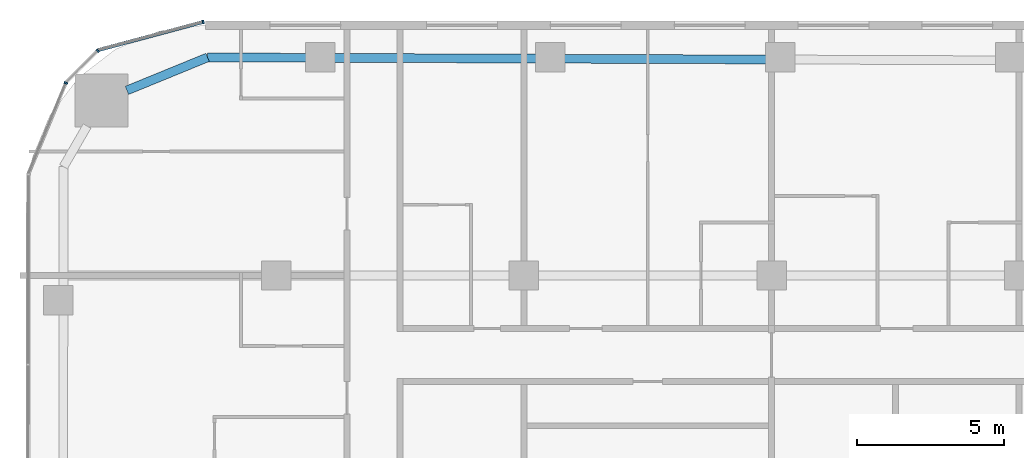
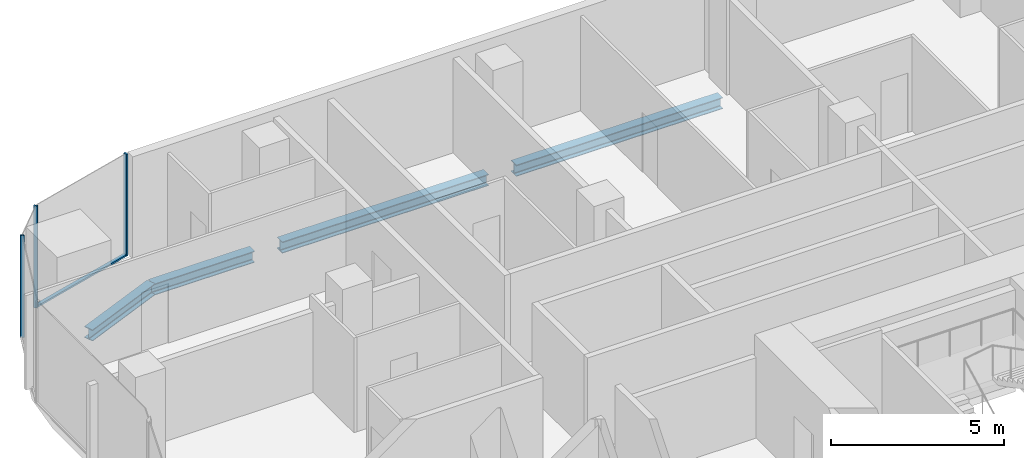
# One storey, part 10 of 26: 4 beams, 4 members, 3 elements without a shape of their own.
"""IFC4 building model written with IfcOpenShell, lengths in metres."""

from ifc_helpers import new_model, si_unit, direction, frame, origin, origin_2d, place, context, subcontext, project, spatial, rectangle, i_section, extrude, material, layer, layer_set, material_profile, profile_set, type_object, element, aggregate, save


model = new_model("IFC4")

# Units and contexts
model_context = context("Model", 3, precision=1e-05, world=origin(), true_north=direction((0.0, 1.0)))
body_context = subcontext(model_context, "Body", "Model", "MODEL_VIEW")
ifc_project = project(units=[si_unit("LENGTHUNIT", "METRE"), si_unit("AREAUNIT", "SQUARE_METRE"), si_unit("VOLUMEUNIT", "CUBIC_METRE"), si_unit("PLANEANGLEUNIT", "RADIAN"), si_unit("MASSUNIT", "GRAM", prefix="KILO")], contexts=[model_context])

# Site, building, storey
site_placement = place(None, origin())
site = spatial("IfcSite", under=ifc_project, at=site_placement, CompositionType="ELEMENT")
building_placement = place(site_placement, origin())
building = spatial("IfcBuilding", under=site, at=building_placement, Name="Marenta Gate Hotel Tower", CompositionType="ELEMENT")
storey_placement = place(building_placement, frame((0.0, 0.0, 65.300048828125)))
storey = spatial("IfcBuildingStorey", under=building, at=storey_placement, Name="L14", CompositionType="ELEMENT", Elevation=65.300048828125)

# Beams
ifc_material_1 = material(Name="Steel S355", Category="steel")
ifc_material_profile_1 = material_profile(ifc_material_1, i_section(OverallWidth=0.300048828125, OverallDepth=0.39990234375, WebThickness=0.013427734375, FlangeThickness=0.02392578125, FilletRadius=0.027099609375, at=origin_2d()), Name="HEB 400")
ifc_profile_set_1 = profile_set([ifc_material_profile_1], Name="Steel S355")
beam_type = type_object("IfcBeamType", Name="Edge beam HEB 400", PredefinedType="SPANDREL", material=ifc_profile_set_1)
beam_1_placement = place(storey_placement, frame((-26.072509765625, 31.47998046875, -0.4599609375), z_axis=(0.925545641603, 0.378636059177, 0.0), x_axis=(-0.378636059177, 0.925545641603, 0.0)))
element("IfcBeam", 1, at=beam_1_placement, inside=storey, type_object=beam_type, Name="L14-EB-12", PredefinedType="SPANDREL", context=body_context, shape_type="SweptSolid", body=[
    extrude(i_section(OverallWidth=0.300048828125, OverallDepth=0.39990234375, WebThickness=0.013427734375, FlangeThickness=0.02392578125, FilletRadius=0.027099609375, at=origin_2d()), origin(), (0.0, 0.0, 1.0), 2.958251953125),
])
beam_2_placement = place(storey_placement, frame((-23.33447265625, 32.60009765625, -0.4599609375), z_axis=(0.999992894549, -0.00376972818, 0.0), x_axis=(0.00376972818, 0.999992894549, 0.0)))
element("IfcBeam", 2, at=beam_2_placement, inside=storey, type_object=beam_type, Name="L14-EB-13", PredefinedType="SPANDREL", context=body_context, shape_type="SweptSolid", body=[
    extrude(i_section(OverallWidth=0.300048828125, OverallDepth=0.39990234375, WebThickness=0.013427734375, FlangeThickness=0.02392578125, FilletRadius=0.027099609375, at=origin_2d()), origin(), (0.0, 0.0, 1.0), 3.36767578125),
])
for number, where, z_axis, x_axis, name in (
    (3, (-19.046875, 32.583984375, -0.4599609375), (0.999993064268, -0.003724435008, 0.0), (0.003724435008, 0.999993064268, 0.0), "L14-EB-14"),
    (4, (-11.244140625, 32.554931640625, -0.4599609375), (0.999993064268, -0.003724435008, 0.0), (0.003724435008, 0.999993064268, 0.0), "L14-EB-15"),
):
    element("IfcBeam", number, at=place(storey_placement, frame(where, z_axis=z_axis, x_axis=x_axis)), inside=storey, type_object=beam_type, Name=name, PredefinedType="SPANDREL", context=body_context, shape_type="SweptSolid", body=[
        extrude(i_section(OverallWidth=0.300048828125, OverallDepth=0.39990234375, WebThickness=0.013427734375, FlangeThickness=0.02392578125, FilletRadius=0.027099609375, at=origin_2d()), origin(), (0.0, 0.0, 1.0), 6.8828125),
    ])

# Curtain wall, member
ifc_material_2 = material(Name="Tinted insulated glass in bronze anodised frame", Category="glass")
ifc_layer = layer(ifc_material_2, 0.1201171875)
ifc_layer_set = layer_set([ifc_layer], Name="Tinted insulated glass in bronze anodised frame")
curtain_wall_type = type_object("IfcCurtainWallType", Name="Tower unitised curtain wall CW1", PredefinedType="NOTDEFINED", material=ifc_layer_set)
curtain_wall_1_placement = place(storey_placement, origin())
curtain_wall_1 = element("IfcCurtainWall", 5, at=curtain_wall_1_placement, inside=storey, type_object=curtain_wall_type, Name="CW1 run G00", PredefinedType="NOTDEFINED")
ifc_material_3 = material(Name="Bronze anodised aluminium", Category="aluminium")
ifc_material_profile_2 = material_profile(ifc_material_3, rectangle(XDim=0.1201171875, YDim=0.06005859375, at=origin_2d()), Name="Mullion CW1 60x120 bronze anodised aluminium")
ifc_profile_set_2 = profile_set([ifc_material_profile_2], Name="Bronze anodised aluminium")
member_type_1 = type_object("IfcMemberType", Name="Mullion CW1 60x120 bronze anodised aluminium", PredefinedType="MULLION", material=ifc_profile_set_2)
member_1_placement = place(storey_placement, frame((-23.485595703125, 33.80322265625, 0.0), z_axis=(0.0, 0.0, 1.0), x_axis=(0.258801657317, -0.965930485164, 0.0)))
member_1 = element("IfcMember", 6, at=member_1_placement, type_object=member_type_1, Name="CW1 mullion 1", PredefinedType="MULLION", context=body_context, shape_type="SweptSolid", body=[
    extrude(rectangle(XDim=0.1201171875, YDim=0.06005859375, at=origin_2d()), origin(), (0.0, 0.0, 1.0), 3.599853515625),
])

curtain_wall_2_placement = place(storey_placement, origin())
curtain_wall_2 = element("IfcCurtainWall", 7, at=curtain_wall_2_placement, inside=storey, type_object=curtain_wall_type, Name="CW1 run G01", PredefinedType="NOTDEFINED")
member_2_placement = place(storey_placement, frame((-27.06103515625, 32.82958984375, 0.0), z_axis=(0.0, 0.0, 1.0), x_axis=(0.707106781187, -0.707106781187, 0.0)))
member_2 = element("IfcMember", 8, at=member_2_placement, type_object=member_type_1, Name="CW1 mullion 1", PredefinedType="MULLION", context=body_context, shape_type="SweptSolid", body=[
    extrude(rectangle(XDim=0.1201171875, YDim=0.06005859375, at=origin_2d()), origin(), (0.0, 0.0, 1.0), 3.599853515625),
])
aggregate(curtain_wall_2, [member_2])

curtain_wall_3_placement = place(storey_placement, origin())
curtain_wall_3 = element("IfcCurtainWall", 9, at=curtain_wall_3_placement, inside=storey, type_object=curtain_wall_type, Name="CW1 run G02", PredefinedType="NOTDEFINED")
member_3_placement = place(storey_placement, frame((-28.142333984375, 31.732177734375, 0.0), z_axis=(0.0, 0.0, 1.0), x_axis=(0.923885075314, -0.382670050581, 0.0)))
member_3 = element("IfcMember", 10, at=member_3_placement, type_object=member_type_1, Name="CW1 mullion 1", PredefinedType="MULLION", context=body_context, shape_type="SweptSolid", body=[
    extrude(rectangle(XDim=0.1201171875, YDim=0.06005859375, at=origin_2d()), origin(), (0.0, 0.0, 1.0), 3.599853515625),
])
aggregate(curtain_wall_3, [member_3])

# Member
ifc_material_4 = material(Name="Bronze anodised aluminium", Category="aluminium")
ifc_material_profile_3 = material_profile(ifc_material_4, rectangle(XDim=0.1201171875, YDim=0.06005859375, at=origin_2d()), Name="Transom CW1 60x120 bronze anodised aluminium")
ifc_profile_set_3 = profile_set([ifc_material_profile_3], Name="Bronze anodised aluminium")
member_type_2 = type_object("IfcMemberType", Name="Transom CW1 60x120 bronze anodised aluminium", PredefinedType="USERDEFINED", material=ifc_profile_set_3)
member_4_placement = place(storey_placement, frame((-23.514404296875, 33.79541015625, 0.030029296875), z_axis=(-0.965928942389, -0.258807415381, 0.0), x_axis=(0.258807415381, -0.965928942389, 0.0)))
member_4 = element("IfcMember", 11, at=member_4_placement, type_object=member_type_2, Name="CW1 transom 1.1", ObjectType="TRANSOM", PredefinedType="USERDEFINED", context=body_context, shape_type="SweptSolid", body=[
    extrude(rectangle(XDim=0.1201171875, YDim=0.06005859375, at=origin_2d()), origin(), (0.0, 0.0, 1.0), 3.649658203125),
])

aggregate(curtain_wall_1, [member_1, member_4])

save(model, "model.ifc")
